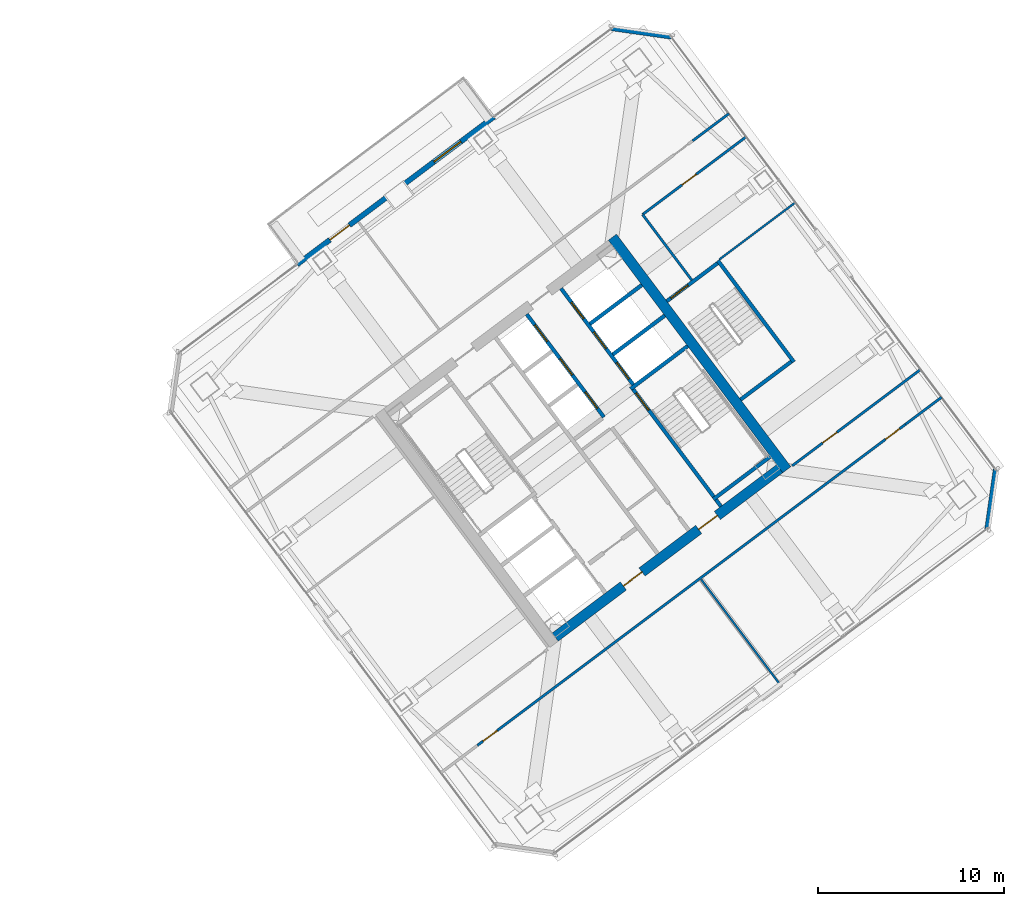
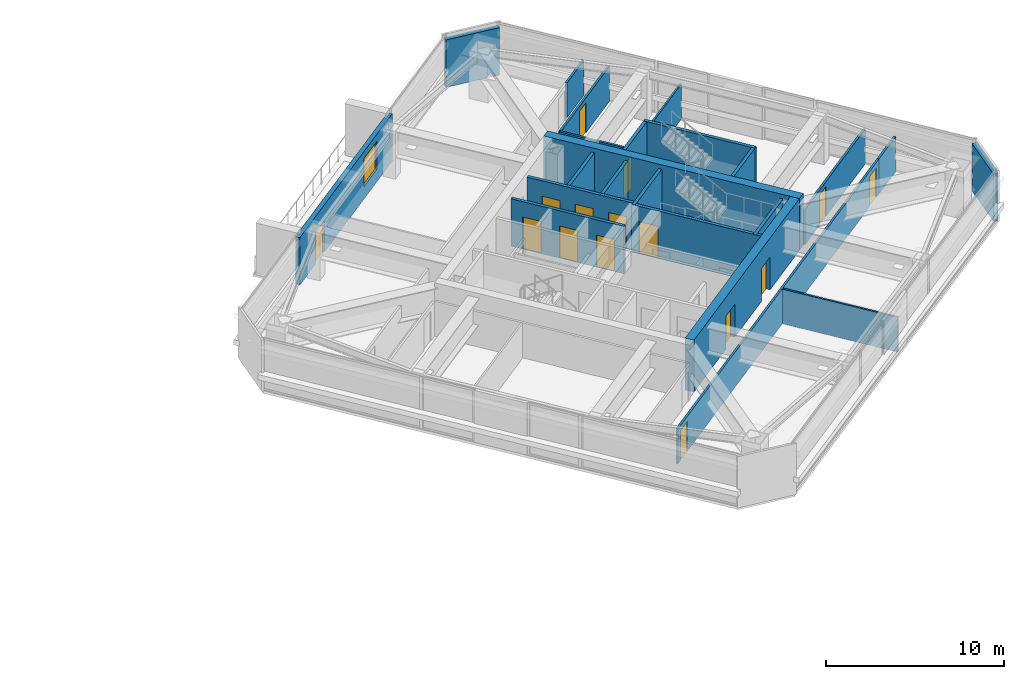
# One storey, part 35 of 42: 23 walls, 15 doors, 1 window, 16 openings.
"""IFC4 building model written with IfcOpenShell, lengths in metres."""

from ifc_helpers import new_model, si_unit, direction, frame, frame_2d, origin, place, context, subcontext, project, spatial, rectangle, extrude, material, layer, layer_set, type_object, element, fill, save


model = new_model("IFC4")

# Units and contexts
model_context = context("Model", 3, precision=1e-05, world=origin(), true_north=direction((0.0, 1.0)))
body_context = subcontext(model_context, "Body", "Model", "MODEL_VIEW")
ifc_project = project(units=[si_unit("LENGTHUNIT", "METRE"), si_unit("AREAUNIT", "SQUARE_METRE"), si_unit("VOLUMEUNIT", "CUBIC_METRE"), si_unit("PLANEANGLEUNIT", "RADIAN"), si_unit("MASSUNIT", "GRAM", prefix="KILO")], contexts=[model_context])

# Site, building, storey
site_placement = place(None, origin())
site = spatial("IfcSite", under=ifc_project, at=site_placement, CompositionType="ELEMENT")
building_placement = place(site_placement, origin())
building = spatial("IfcBuilding", under=site, at=building_placement, Name="Tashvorn Skyway Center", CompositionType="ELEMENT")
storey_placement = place(building_placement, frame((0.0, 0.0, 196.050048828125)))
storey = spatial("IfcBuildingStorey", under=building, at=storey_placement, Name="L53", CompositionType="ELEMENT", Elevation=196.050048828125)

# Wall
ifc_material_1 = material(Name="Concrete C60/75", Category="concrete")
ifc_layer_1 = layer(ifc_material_1, 0.550048828125)
ifc_layer_set_1 = layer_set([ifc_layer_1], Name="Concrete C60/75")
wall_type_1 = type_object("IfcWallType", Name="WALL-CORE-550", PredefinedType="SHEAR", material=ifc_layer_set_1)
wall_1_placement = place(storey_placement, frame((115.56396484375, 42.923095703125, 0.0), z_axis=(0.0, 0.0, 1.0), x_axis=(0.600005007985, -0.799996243986, 0.0)))
element("IfcWall", 1, at=wall_1_placement, inside=storey, type_object=wall_type_1, Name="Tower 2 L53 East Core Shear Wall", PredefinedType="SHEAR", context=body_context, shape_type="SweptSolid", body=[
    extrude(rectangle(XDim=15.60009765625, YDim=0.550048828125, at=frame_2d((7.800048828125, 0.0))), origin(), (0.0, 0.0, 1.0), 3.550048828125),
])

# Wall, openings, doors
wall_2_placement = place(storey_placement, frame((124.5390625, 30.498046875, 0.0), z_axis=(0.0, 0.0, 1.0), x_axis=(-0.799998054672, -0.600002593761, 0.0)))
wall_2 = element("IfcWall", 2, at=wall_2_placement, inside=storey, type_object=wall_type_1, Name="Tower 2 L53 South Core Shear Wall", PredefinedType="SHEAR", context=body_context, shape_type="SweptSolid", body=[
    extrude(rectangle(XDim=15.06005859375, YDim=0.550048828125, at=frame_2d((7.530029296875, 0.0))), origin(), (0.0, 0.0, 1.0), 3.550048828125),
])
opening_1_placement = place(wall_2_placement, frame((9.22998046875, 0.0, 0.0)))
opening_1 = element("IfcOpeningElement", 3, at=opening_1_placement, cuts=wall_2, Name="Opening D-FFL-1250", PredefinedType="OPENING", context=body_context, shape_type="SweptSolid", body=[
    extrude(rectangle(XDim=1.25, YDim=2.25, at=frame_2d((0.625, 1.125))), frame((0.0, 0.284912109375, 0.0), z_axis=(0.0, -1.0, 0.0), x_axis=(1.0, 0.0, 0.0)), (0.0, 0.0, 1.0), 0.570068359375),
])
opening_2_placement = place(wall_2_placement, frame((4.179931640625, 0.0, 0.0)))
opening_2 = element("IfcOpeningElement", 4, at=opening_2_placement, cuts=wall_2, Name="Opening D-FFL-1250", PredefinedType="OPENING", context=body_context, shape_type="SweptSolid", body=[
    extrude(rectangle(XDim=1.25, YDim=2.25, at=frame_2d((0.625, 1.125))), frame((0.0, 0.284912109375, 0.0), z_axis=(0.0, -1.0, 0.0), x_axis=(1.0, 0.0, 0.0)), (0.0, 0.0, 1.0), 0.570068359375),
])
ifc_material_2 = material(Name="Hollow galvanized steel fire door assembly", Category="steel")
door_type_1 = type_object("IfcDoorType", Name="DOOR-FFL-1250", OperationType="NOTDEFINED", PredefinedType="DOOR", material=ifc_material_2)
door_1_placement = place(opening_1_placement, origin())
door_1 = element("IfcDoor", 5, at=door_1_placement, inside=storey, type_object=door_type_1, Name="Tower 2 L53 Core South Firefighting Exit Door", OperationType="SINGLE_SWING_LEFT", OverallHeight=2.25, OverallWidth=1.25, PredefinedType="DOOR", context=body_context, shape_type="SweptSolid", body=[
    extrude(rectangle(XDim=1.25, YDim=2.25, at=frame_2d((0.625, 1.125))), frame((0.0, 0.02490234375, 0.0), z_axis=(0.0, -1.0, 0.0), x_axis=(1.0, 0.0, 0.0)), (0.0, 0.0, 1.0), 0.050048828125),
])
fill(opening_1, door_1)
door_2_placement = place(opening_2_placement, origin())
door_2 = element("IfcDoor", 6, at=door_2_placement, inside=storey, type_object=door_type_1, Name="Tower 2 L53 Core South Lift Lobby Door", OperationType="SINGLE_SWING_RIGHT", OverallHeight=2.25, OverallWidth=1.25, PredefinedType="DOOR", context=body_context, shape_type="SweptSolid", body=[
    extrude(rectangle(XDim=1.25, YDim=2.25, at=frame_2d((0.625, 1.125))), frame((0.0, 0.02490234375, 0.0), z_axis=(0.0, -1.0, 0.0), x_axis=(1.0, 0.0, 0.0)), (0.0, 0.0, 1.0), 0.050048828125),
])
fill(opening_2, door_2)

# Wall, openings, door, window
ifc_material_3 = material(Name="Precast concrete C40/50", Category="concrete")
ifc_layer_2 = layer(ifc_material_3, 0.280029296875)
ifc_layer_set_2 = layer_set([ifc_layer_2], Name="Precast concrete C40/50")
wall_type_2 = type_object("IfcWallType", Name="WALL-EXT-280", PredefinedType="SOLIDWALL", material=ifc_layer_set_2)
wall_3_placement = place(storey_placement, frame((98.652099609375, 41.464111328125, 0.0), z_axis=(0.0, 0.0, 1.0), x_axis=(0.799997780501, 0.60000295932, 0.0)))
wall_3 = element("IfcWall", 7, at=wall_3_placement, inside=storey, type_object=wall_type_2, Name="Tower 2 L53 North Sky Garden Loggia Wall", PredefinedType="SOLIDWALL", context=body_context, shape_type="SweptSolid", body=[
    extrude(rectangle(XDim=13.19970703125, YDim=0.280029296875, at=frame_2d((6.599853515625, 0.0))), origin(), (0.0, 0.0, 1.0), 3.25),
])
opening_3_placement = place(wall_3_placement, frame((2.199951171875, 0.0, 0.0)))
opening_3 = element("IfcOpeningElement", 8, at=opening_3_placement, cuts=wall_3, Name="Opening D-TER-1300", PredefinedType="OPENING", context=body_context, shape_type="SweptSolid", body=[
    extrude(rectangle(XDim=1.300048828125, YDim=2.14990234375, at=frame_2d((0.64990234375, 1.074951171875))), frame((0.0, 0.14990234375, 0.0), z_axis=(0.0, -1.0, 0.0), x_axis=(1.0, 0.0, 0.0)), (0.0, 0.0, 1.0), 0.300048828125),
])
opening_4_placement = place(wall_3_placement, frame((9.181884765625, 0.0, 0.85009765625)))
opening_4 = element("IfcOpeningElement", 9, at=opening_4_placement, cuts=wall_3, Name="Opening WIN-1800", PredefinedType="OPENING", context=body_context, shape_type="SweptSolid", body=[
    extrude(rectangle(XDim=1.800048828125, YDim=1.919921875, at=frame_2d((0.89990234375, 0.9599609375))), frame((0.0, 0.14990234375, 0.0), z_axis=(0.0, -1.0, 0.0), x_axis=(1.0, 0.0, 0.0)), (0.0, 0.0, 1.0), 0.300048828125),
])
ifc_material_4 = material(Name="Thermally broken bronze-anodized aluminium 6063-T6", Category="aluminium")
door_type_2 = type_object("IfcDoorType", Name="DOOR-TERR-1300", OperationType="NOTDEFINED", PredefinedType="DOOR", material=ifc_material_4)
door_3_placement = place(opening_3_placement, origin())
door_3 = element("IfcDoor", 10, at=door_3_placement, inside=storey, type_object=door_type_2, Name="Tower 2 L53 Sky Garden Access Door", OperationType="SINGLE_SWING_RIGHT", OverallHeight=2.14990234375, OverallWidth=1.300048828125, PredefinedType="DOOR", context=body_context, shape_type="SweptSolid", body=[
    extrude(rectangle(XDim=1.300048828125, YDim=2.14990234375, at=frame_2d((0.64990234375, 1.074951171875))), frame((0.0, 0.02490234375, 0.0), z_axis=(0.0, -1.0, 0.0), x_axis=(1.0, 0.0, 0.0)), (0.0, 0.0, 1.0), 0.050048828125),
])
fill(opening_3, door_3)
ifc_material_5 = material(Name="Low-E solar-control double insulating safety glass", Category="glass")
window_type = type_object("IfcWindowType", Name="WIN-TERR-1800", PartitioningType="SINGLE_PANEL", PredefinedType="WINDOW", material=ifc_material_5)
window_placement = place(opening_4_placement, origin())
window = element("IfcWindow", 11, at=window_placement, inside=storey, type_object=window_type, Name="Tower 2 L53 Sky Garden Window", OverallHeight=1.919921875, OverallWidth=1.800048828125, PartitioningType="SINGLE_PANEL", PredefinedType="WINDOW", context=body_context, shape_type="SweptSolid", body=[
    extrude(rectangle(XDim=1.800048828125, YDim=1.919921875, at=frame_2d((0.89990234375, 0.9599609375))), frame((0.0, 0.030029296875, 0.0), z_axis=(0.0, -1.0, 0.0), x_axis=(1.0, 0.0, 0.0)), (0.0, 0.0, 1.0), 0.06005859375),
])
fill(opening_4, window)

# Walls
for number, where, z_axis, x_axis, name in (
    (12, (115.52001953125, 54.139892578125, 0.0), (0.0, 0.0, 1.0), (0.989950994782, -0.141410847992, 0.0), "Tower 2 L53 NE Precast Chamfer Wall"),
    (13, (136.139892578125, 30.47998046875, 0.0), (0.0, 0.0, 1.0), (-0.141410847992, -0.989950994782, 0.0), "Tower 2 L53 SE Precast Chamfer Wall"),
):
    element("IfcWall", number, at=place(storey_placement, frame(where, z_axis=z_axis, x_axis=x_axis)), inside=storey, type_object=wall_type_2, Name=name, PredefinedType="SOLIDWALL", context=body_context, shape_type="SweptSolid", body=[
        extrude(rectangle(XDim=3.252685546875, YDim=0.280029296875, at=frame_2d((1.62646484375, 0.0))), origin(), (0.0, 0.0, 1.0), 3.25),
    ])
ifc_material_6 = material(Name="Gypsum board on cold-formed steel stud framing", Category="steel")
ifc_layer_3 = layer(ifc_material_6, 0.110107421875)
ifc_layer_set_3 = layer_set([ifc_layer_3], Name="Gypsum board on cold-formed steel stud framing")
wall_type_3 = type_object("IfcWallType", Name="WALL-PART-110", PredefinedType="PARTITIONING", material=ifc_layer_set_3)
wall_4_placement = place(storey_placement, frame((124.548095703125, 18.93603515625, 0.0), z_axis=(0.0, 0.0, 1.0), x_axis=(-0.6, 0.8, 0.0)))
element("IfcWall", 14, at=wall_4_placement, inside=storey, type_object=wall_type_3, Name="Tower 2 L53 South Suite Partition 1", PredefinedType="PARTITIONING", context=body_context, shape_type="SweptSolid", body=[
    extrude(rectangle(XDim=7.030029296875, YDim=0.110107421875, at=frame_2d((3.51513671875, 0.0))), origin(), (0.0, 0.0, 1.0), 2.39306640625),
])
wall_5_placement = place(storey_placement, frame((125.384033203125, 44.7880859375, 0.0), z_axis=(0.0, 0.0, 1.0), x_axis=(-0.8, -0.6, 0.0)))
element("IfcWall", 15, at=wall_5_placement, inside=storey, type_object=wall_type_3, Name="Tower 2 L53 East Suite Partition 1", PredefinedType="PARTITIONING", context=body_context, shape_type="SweptSolid", body=[
    extrude(rectangle(XDim=5.10009765625, YDim=0.110107421875, at=frame_2d((2.550048828125, 0.0))), origin(), (0.0, 0.0, 1.0), 2.39306640625),
])
ifc_layer_4 = layer(ifc_material_6, 0.135009765625)
ifc_layer_set_4 = layer_set([ifc_layer_4], Name="Gypsum board on cold-formed steel stud framing")
wall_type_4 = type_object("IfcWallType", Name="WALL-PART-135", PredefinedType="PARTITIONING", material=ifc_layer_set_4)
wall_6_placement = place(storey_placement, frame((119.823974609375, 40.617919921875, 0.0), z_axis=(0.0, 0.0, 1.0), x_axis=(-0.599982243973, 0.800013316712, 0.0)))
element("IfcWall", 16, at=wall_6_placement, inside=storey, type_object=wall_type_4, Name="Tower 2 L53 Stair 3 Access Corridor Wall", PredefinedType="PARTITIONING", context=body_context, shape_type="SweptSolid", body=[
    extrude(rectangle(XDim=4.39990234375, YDim=0.135009765625, at=frame_2d((2.199951171875, 0.0))), origin(), (0.0, 0.0, 1.0), 2.39306640625),
])
wall_7_placement = place(storey_placement, frame((119.8701171875, 48.090087890625, 0.0), z_axis=(0.0, 0.0, 1.0), x_axis=(0.799975885537, 0.600032151272, 0.0)))
element("IfcWall", 17, at=wall_7_placement, inside=storey, type_object=wall_type_4, Name="Tower 2 L53 North-East Suite South Wall", PredefinedType="PARTITIONING", context=body_context, shape_type="SweptSolid", body=[
    extrude(rectangle(XDim=2.429931640625, YDim=0.135009765625, at=frame_2d((1.21484375, 0.0))), origin(), (0.0, 0.0, 1.0), 2.39306640625),
])

# Wall, openings, doors
wall_8_placement = place(storey_placement, frame((131.281982421875, 32.8740234375, 0.0), z_axis=(0.0, 0.0, 1.0), x_axis=(-0.8, -0.6, 0.0)))
wall_8 = element("IfcWall", 18, at=wall_8_placement, inside=storey, type_object=wall_type_4, Name="Tower 2 L53 South Suite Wall", PredefinedType="PARTITIONING", context=body_context, shape_type="SweptSolid", body=[
    extrude(rectangle(XDim=28.699951171875, YDim=0.135009765625, at=frame_2d((14.35009765625, 0.0))), origin(), (0.0, 0.0, 1.0), 2.39306640625),
])
opening_5_placement = place(wall_8_placement, frame((27.3701171875, 0.0, 0.0)))
opening_5 = element("IfcOpeningElement", 19, at=opening_5_placement, cuts=wall_8, Name="Opening D-INT-950", PredefinedType="OPENING", context=body_context, shape_type="SweptSolid", body=[
    extrude(rectangle(XDim=0.949951171875, YDim=2.050048828125, at=frame_2d((0.47509765625, 1.02490234375))), frame((0.0, 0.077392578125, 0.0), z_axis=(0.0, -1.0, 0.0), x_axis=(1.0, 0.0, 0.0)), (0.0, 0.0, 1.0), 0.155029296875),
])
opening_6_placement = place(wall_8_placement, frame((0.3798828125, 0.0, 0.0)))
opening_6 = element("IfcOpeningElement", 20, at=opening_6_placement, cuts=wall_8, Name="Opening D-INT-950", PredefinedType="OPENING", context=body_context, shape_type="SweptSolid", body=[
    extrude(rectangle(XDim=0.949951171875, YDim=2.050048828125, at=frame_2d((0.47509765625, 1.02490234375))), frame((0.0, 0.077392578125, 0.0), z_axis=(0.0, -1.0, 0.0), x_axis=(1.0, 0.0, 0.0)), (0.0, 0.0, 1.0), 0.155029296875),
])
ifc_material_7 = material(Name="Solid-core architectural oak veneer door")
door_type_3 = type_object("IfcDoorType", Name="DOOR-INT-950", OperationType="NOTDEFINED", PredefinedType="DOOR", material=ifc_material_7)
door_4_placement = place(opening_5_placement, origin())
door_4 = element("IfcDoor", 21, at=door_4_placement, inside=storey, type_object=door_type_3, Name="Tower 2 L53 Open Plan Office Door", OperationType="SINGLE_SWING_LEFT", OverallHeight=2.050048828125, OverallWidth=0.949951171875, PredefinedType="DOOR", context=body_context, shape_type="SweptSolid", body=[
    extrude(rectangle(XDim=0.949951171875, YDim=2.050048828125, at=frame_2d((0.47509765625, 1.02490234375))), frame((0.0, 0.02490234375, 0.0), z_axis=(0.0, -1.0, 0.0), x_axis=(1.0, 0.0, 0.0)), (0.0, 0.0, 1.0), 0.050048828125),
])
fill(opening_5, door_4)
door_5_placement = place(opening_6_placement, origin())
door_5 = element("IfcDoor", 22, at=door_5_placement, inside=storey, type_object=door_type_3, Name="Tower 2 L53 Staff Fitness Club Door", OperationType="SINGLE_SWING_RIGHT", OverallHeight=2.050048828125, OverallWidth=0.949951171875, PredefinedType="DOOR", context=body_context, shape_type="SweptSolid", body=[
    extrude(rectangle(XDim=0.949951171875, YDim=2.050048828125, at=frame_2d((0.47509765625, 1.02490234375))), frame((0.0, 0.02490234375, 0.0), z_axis=(0.0, -1.0, 0.0), x_axis=(1.0, 0.0, 0.0)), (0.0, 0.0, 1.0), 0.050048828125),
])
fill(opening_6, door_5)

# Wall
wall_9_placement = place(storey_placement, frame((131.281982421875, 32.8740234375, 0.0), z_axis=(0.0, 0.0, 1.0), x_axis=(0.800012055778, 0.599983925293, 0.0)))
element("IfcWall", 23, at=wall_9_placement, inside=storey, type_object=wall_type_4, Name="Tower 2 L53 South-East Suite North Wall", PredefinedType="PARTITIONING", context=body_context, shape_type="SweptSolid", body=[
    extrude(rectangle(XDim=2.43017578125, YDim=0.135009765625, at=frame_2d((1.215087890625, 0.0))), origin(), (0.0, 0.0, 1.0), 2.39306640625),
])

# Wall, opening, door
wall_10_placement = place(storey_placement, frame((122.743896484375, 48.30810546875, 0.0), z_axis=(0.0, 0.0, 1.0), x_axis=(-0.79997892247, -0.600028102345, 0.0)))
wall_10 = element("IfcWall", 24, at=wall_10_placement, inside=storey, type_object=wall_type_4, Name="Tower 2 L53 East Suite North Wall", PredefinedType="PARTITIONING", context=body_context, shape_type="SweptSolid", body=[
    extrude(rectangle(XDim=6.949951171875, YDim=0.135009765625, at=frame_2d((3.47509765625, 0.0))), origin(), (0.0, 0.0, 1.0), 2.39306640625),
])
opening_7_placement = place(wall_10_placement, frame((3.35009765625, 0.0, 0.0)))
opening_7 = element("IfcOpeningElement", 25, at=opening_7_placement, cuts=wall_10, Name="Opening D-INT-950", PredefinedType="OPENING", context=body_context, shape_type="SweptSolid", body=[
    extrude(rectangle(XDim=0.949951171875, YDim=2.050048828125, at=frame_2d((0.47509765625, 1.02490234375))), frame((0.0, 0.077392578125, 0.0), z_axis=(0.0, -1.0, 0.0), x_axis=(1.0, 0.0, 0.0)), (0.0, 0.0, 1.0), 0.155029296875),
])
door_6_placement = place(opening_7_placement, origin())
door_6 = element("IfcDoor", 26, at=door_6_placement, inside=storey, type_object=door_type_3, Name="Tower 2 L53 Executive Study Lounge Door", OperationType="SINGLE_SWING_LEFT", OverallHeight=2.050048828125, OverallWidth=0.949951171875, PredefinedType="DOOR", context=body_context, shape_type="SweptSolid", body=[
    extrude(rectangle(XDim=0.949951171875, YDim=2.050048828125, at=frame_2d((0.47509765625, 1.02490234375))), frame((0.0, 0.02490234375, 0.0), z_axis=(0.0, -1.0, 0.0), x_axis=(1.0, 0.0, 0.0)), (0.0, 0.0, 1.0), 0.050048828125),
])
fill(opening_7, door_6)

wall_11_placement = place(storey_placement, frame((125.2080078125, 30.656005859375, 0.0), z_axis=(0.0, 0.0, 1.0), x_axis=(0.800006797429, 0.599990936654, 0.0)))
wall_11 = element("IfcWall", 27, at=wall_11_placement, inside=storey, type_object=wall_type_4, Name="Tower 2 L53 East Suite South Wall", PredefinedType="PARTITIONING", context=body_context, shape_type="SweptSolid", body=[
    extrude(rectangle(XDim=8.619873046875, YDim=0.135009765625, at=frame_2d((4.31005859375, 0.0))), origin(), (0.0, 0.0, 1.0), 2.39306640625),
])
opening_8_placement = place(wall_11_placement, frame((2.044921875, 0.0, 0.0)))
opening_8 = element("IfcOpeningElement", 28, at=opening_8_placement, cuts=wall_11, Name="Opening D-INT-950", PredefinedType="OPENING", context=body_context, shape_type="SweptSolid", body=[
    extrude(rectangle(XDim=0.949951171875, YDim=2.050048828125, at=frame_2d((0.47509765625, 1.02490234375))), frame((0.0, 0.077392578125, 0.0), z_axis=(0.0, -1.0, 0.0), x_axis=(1.0, 0.0, 0.0)), (0.0, 0.0, 1.0), 0.155029296875),
])
door_7_placement = place(opening_8_placement, origin())
door_7 = element("IfcDoor", 29, at=door_7_placement, inside=storey, type_object=door_type_3, Name="Tower 2 L53 Public Restroom Door", OperationType="SINGLE_SWING_RIGHT", OverallHeight=2.050048828125, OverallWidth=0.949951171875, PredefinedType="DOOR", context=body_context, shape_type="SweptSolid", body=[
    extrude(rectangle(XDim=0.949951171875, YDim=2.050048828125, at=frame_2d((0.47509765625, 1.02490234375))), frame((0.0, 0.02490234375, 0.0), z_axis=(0.0, -1.0, 0.0), x_axis=(1.0, 0.0, 0.0)), (0.0, 0.0, 1.0), 0.050048828125),
])
fill(opening_8, door_7)

# Walls
ifc_material_8 = material(Name="Concrete C40/50", Category="concrete")
ifc_layer_5 = layer(ifc_material_8, 0.199951171875)
ifc_layer_set_5 = layer_set([ifc_layer_5], Name="Concrete C40/50")
wall_type_5 = type_object("IfcWallType", Name="WALL-SHAFT-200", PredefinedType="SOLIDWALL", material=ifc_layer_set_5)
for number, where, z_axis, x_axis, name in (
    (30, (115.590087890625, 36.6298828125, 0.0), (0.0, 0.0, 1.0), (0.799974743577, 0.600033673754, 0.0), "Tower 2 L53 High-Rise Shaft Divider"),
    (31, (114.360107421875, 38.27001953125, 0.0), (0.0, 0.0, 1.0), (0.800008418847, 0.599988774707, 0.0), "Tower 2 L53 High-Rise Shaft Divider"),
):
    element("IfcWall", number, at=place(storey_placement, frame(where, z_axis=z_axis, x_axis=x_axis)), inside=storey, type_object=wall_type_5, Name=name, PredefinedType="SOLIDWALL", context=body_context, shape_type="SweptSolid", body=[
        extrude(rectangle(XDim=3.47998046875, YDim=0.199951171875, at=frame_2d((1.739990234375, 0.0))), origin(), (0.0, 0.0, 1.0), 3.25),
    ])

# Wall, openings, doors
wall_12_placement = place(storey_placement, frame((115.110107421875, 33.27001953125, 0.0), z_axis=(0.0, 0.0, 1.0), x_axis=(-0.600011322243, 0.799991508192, 0.0)))
wall_12 = element("IfcWall", 32, at=wall_12_placement, inside=storey, type_object=wall_type_5, Name="Tower 2 L53 Mid-Rise Core Wall", PredefinedType="SOLIDWALL", context=body_context, shape_type="SweptSolid", body=[
    extrude(rectangle(XDim=6.900146484375, YDim=0.199951171875, at=frame_2d((3.4501953125, 0.0))), origin(), (0.0, 0.0, 1.0), 3.25),
])
opening_9_placement = place(wall_12_placement, frame((0.574951171875, 0.0, 0.0)))
opening_9 = element("IfcOpeningElement", 33, at=opening_9_placement, cuts=wall_12, Name="Opening LD-MR-T2-1-L53", PredefinedType="OPENING", context=body_context, shape_type="SweptSolid", body=[
    extrude(rectangle(XDim=1.10009765625, YDim=2.199951171875, at=frame_2d((0.550048828125, 1.10009765625))), frame((0.0, 0.10986328125, 0.0), z_axis=(0.0, -1.0, 0.0), x_axis=(1.0, 0.0, 0.0)), (0.0, 0.0, 1.0), 0.219970703125),
])
opening_10_placement = place(wall_12_placement, frame((2.824951171875, 0.0, 0.0)))
opening_10 = element("IfcOpeningElement", 34, at=opening_10_placement, cuts=wall_12, Name="Opening LD-MR-T2-2-L53", PredefinedType="OPENING", context=body_context, shape_type="SweptSolid", body=[
    extrude(rectangle(XDim=1.10009765625, YDim=2.199951171875, at=frame_2d((0.550048828125, 1.10009765625))), frame((0.0, 0.10986328125, 0.0), z_axis=(0.0, -1.0, 0.0), x_axis=(1.0, 0.0, 0.0)), (0.0, 0.0, 1.0), 0.219970703125),
])
opening_11_placement = place(wall_12_placement, frame((5.074951171875, 0.0, 0.0)))
opening_11 = element("IfcOpeningElement", 35, at=opening_11_placement, cuts=wall_12, Name="Opening LD-MR-T2-3-L53", PredefinedType="OPENING", context=body_context, shape_type="SweptSolid", body=[
    extrude(rectangle(XDim=1.10009765625, YDim=2.199951171875, at=frame_2d((0.550048828125, 1.10009765625))), frame((0.0, 0.10986328125, 0.0), z_axis=(0.0, -1.0, 0.0), x_axis=(1.0, 0.0, 0.0)), (0.0, 0.0, 1.0), 0.219970703125),
])
ifc_material_9 = material(Name="Stainless steel landing door", Category="steel")
door_type_4 = type_object("IfcDoorType", Name="DOOR-LIFT-1100", OperationType="SLIDING_TO_LEFT", PredefinedType="DOOR", material=ifc_material_9)
door_8_placement = place(opening_9_placement, origin())
door_8 = element("IfcDoor", 36, at=door_8_placement, inside=storey, type_object=door_type_4, Name="Lift MR-T2-1 L53 Landing Door", OperationType="SLIDING_TO_LEFT", OverallHeight=2.199951171875, OverallWidth=1.10009765625, PredefinedType="DOOR", context=body_context, shape_type="SweptSolid", body=[
    extrude(rectangle(XDim=1.10009765625, YDim=2.199951171875, at=frame_2d((0.550048828125, 1.10009765625))), frame((0.0, 0.02490234375, 0.0), z_axis=(0.0, -1.0, 0.0), x_axis=(1.0, 0.0, 0.0)), (0.0, 0.0, 1.0), 0.050048828125),
])
fill(opening_9, door_8)
door_9_placement = place(opening_10_placement, origin())
door_9 = element("IfcDoor", 37, at=door_9_placement, inside=storey, type_object=door_type_4, Name="Lift MR-T2-2 L53 Landing Door", OperationType="SLIDING_TO_LEFT", OverallHeight=2.199951171875, OverallWidth=1.10009765625, PredefinedType="DOOR", context=body_context, shape_type="SweptSolid", body=[
    extrude(rectangle(XDim=1.10009765625, YDim=2.199951171875, at=frame_2d((0.550048828125, 1.10009765625))), frame((0.0, 0.02490234375, 0.0), z_axis=(0.0, -1.0, 0.0), x_axis=(1.0, 0.0, 0.0)), (0.0, 0.0, 1.0), 0.050048828125),
])
fill(opening_10, door_9)
door_10_placement = place(opening_11_placement, origin())
door_10 = element("IfcDoor", 38, at=door_10_placement, inside=storey, type_object=door_type_4, Name="Lift MR-T2-3 L53 Landing Door", OperationType="SLIDING_TO_LEFT", OverallHeight=2.199951171875, OverallWidth=1.10009765625, PredefinedType="DOOR", context=body_context, shape_type="SweptSolid", body=[
    extrude(rectangle(XDim=1.10009765625, YDim=2.199951171875, at=frame_2d((0.550048828125, 1.10009765625))), frame((0.0, 0.02490234375, 0.0), z_axis=(0.0, -1.0, 0.0), x_axis=(1.0, 0.0, 0.0)), (0.0, 0.0, 1.0), 0.050048828125),
])
fill(opening_11, door_10)

# Wall, opening, door
ifc_layer_6 = layer(ifc_material_8, 0.199951171875)
ifc_layer_set_6 = layer_set([ifc_layer_6], Name="Concrete C40/50")
wall_type_6 = type_object("IfcWallType", Name="WALL-STSHF-200", PredefinedType="SHEAR", material=ifc_layer_set_6)
wall_13_placement = place(storey_placement, frame((116.56005859375, 34.919921875, 0.0), z_axis=(0.0, 0.0, 1.0), x_axis=(0.59999029481, -0.8000072788, 0.0)))
wall_13 = element("IfcWall", 39, at=wall_13_placement, inside=storey, type_object=wall_type_6, Name="Tower 2 L53 Stair 2 Enclosure Wall", PredefinedType="SHEAR", context=body_context, shape_type="SweptSolid", body=[
    extrude(rectangle(XDim=8.0498046875, YDim=0.199951171875, at=frame_2d((4.02490234375, 0.0))), origin(), (0.0, 0.0, 1.0), 3.25),
])
opening_12_placement = place(wall_13_placement, frame((0.449951171875, 0.0, 0.0)))
opening_12 = element("IfcOpeningElement", 40, at=opening_12_placement, cuts=wall_13, Name="Opening D-ST-1150", PredefinedType="OPENING", context=body_context, shape_type="SweptSolid", body=[
    extrude(rectangle(XDim=1.14990234375, YDim=2.199951171875, at=frame_2d((0.574951171875, 1.10009765625))), frame((0.0, 0.10986328125, 0.0), z_axis=(0.0, -1.0, 0.0), x_axis=(1.0, 0.0, 0.0)), (0.0, 0.0, 1.0), 0.219970703125),
])
door_type_5 = type_object("IfcDoorType", Name="DOOR-STAIR-1150", OperationType="NOTDEFINED", PredefinedType="DOOR", material=ifc_material_2)
door_11_placement = place(opening_12_placement, origin())
door_11 = element("IfcDoor", 41, at=door_11_placement, inside=storey, type_object=door_type_5, Name="Tower 2 L53 Exit Stair 2 Door", OperationType="SINGLE_SWING_RIGHT", OverallHeight=2.199951171875, OverallWidth=1.14990234375, PredefinedType="DOOR", context=body_context, shape_type="SweptSolid", body=[
    extrude(rectangle(XDim=1.14990234375, YDim=2.199951171875, at=frame_2d((0.574951171875, 1.10009765625))), frame((0.0, 0.02490234375, 0.0), z_axis=(0.0, -1.0, 0.0), x_axis=(1.0, 0.0, 0.0)), (0.0, 0.0, 1.0), 0.050048828125),
])
fill(opening_12, door_11)

# Walls
for number, where, z_axis, x_axis, name in (
    (42, (116.5400390625, 34.780029296875, 0.0), (0.0, 0.0, 1.0), (0.800015298837, 0.599979601008, 0.0), "Tower 2 L53 Stair 2 North Wall"),
    (43, (120.97998046875, 28.860107421875, 0.0), (0.0, 0.0, 1.0), (0.800015298837, 0.599979601008, 0.0), "Tower 2 L53 Stair 2 South Wall"),
):
    element("IfcWall", number, at=place(storey_placement, frame(where, z_axis=z_axis, x_axis=x_axis)), inside=storey, type_object=wall_type_6, Name=name, PredefinedType="SHEAR", context=body_context, shape_type="SweptSolid", body=[
        extrude(rectangle(XDim=3.829833984375, YDim=0.199951171875, at=frame_2d((1.9150390625, 0.0))), origin(), (0.0, 0.0, 1.0), 3.25),
    ])

# Wall, openings, doors
wall_14_placement = place(storey_placement, frame((112.81005859375, 40.169921875, 0.0), z_axis=(0.0, 0.0, 1.0), x_axis=(0.599993943644, -0.800004542231, 0.0)))
wall_14 = element("IfcWall", 44, at=wall_14_placement, inside=storey, type_object=wall_type_6, Name="Tower 2 L53 High-Rise Lift Shaft Front Wall", PredefinedType="SHEAR", context=body_context, shape_type="SweptSolid", body=[
    extrude(rectangle(XDim=6.449951171875, YDim=0.199951171875, at=frame_2d((3.22509765625, 0.0))), origin(), (0.0, 0.0, 1.0), 3.25),
])
opening_13_placement = place(wall_14_placement, frame((4.97509765625, 0.0, 0.0)))
opening_13 = element("IfcOpeningElement", 45, at=opening_13_placement, cuts=wall_14, Name="Opening LD-HR-T2-1-L53", PredefinedType="OPENING", context=body_context, shape_type="SweptSolid", body=[
    extrude(rectangle(XDim=1.10009765625, YDim=2.199951171875, at=frame_2d((0.550048828125, 1.10009765625))), frame((0.0, 0.10986328125, 0.0), z_axis=(0.0, -1.0, 0.0), x_axis=(1.0, 0.0, 0.0)), (0.0, 0.0, 1.0), 0.219970703125),
])
opening_14_placement = place(wall_14_placement, frame((2.925048828125, 0.0, 0.0)))
opening_14 = element("IfcOpeningElement", 46, at=opening_14_placement, cuts=wall_14, Name="Opening LD-HR-T2-2-L53", PredefinedType="OPENING", context=body_context, shape_type="SweptSolid", body=[
    extrude(rectangle(XDim=1.10009765625, YDim=2.199951171875, at=frame_2d((0.550048828125, 1.10009765625))), frame((0.0, 0.10986328125, 0.0), z_axis=(0.0, -1.0, 0.0), x_axis=(1.0, 0.0, 0.0)), (0.0, 0.0, 1.0), 0.219970703125),
])
opening_15_placement = place(wall_14_placement, frame((0.925048828125, 0.0, 0.0)))
opening_15 = element("IfcOpeningElement", 47, at=opening_15_placement, cuts=wall_14, Name="Opening LD-HR-T2-3-L53", PredefinedType="OPENING", context=body_context, shape_type="SweptSolid", body=[
    extrude(rectangle(XDim=1.10009765625, YDim=2.199951171875, at=frame_2d((0.550048828125, 1.10009765625))), frame((0.0, 0.10986328125, 0.0), z_axis=(0.0, -1.0, 0.0), x_axis=(1.0, 0.0, 0.0)), (0.0, 0.0, 1.0), 0.219970703125),
])
door_12_placement = place(opening_13_placement, origin())
door_12 = element("IfcDoor", 48, at=door_12_placement, inside=storey, type_object=door_type_4, Name="Lift HR-T2-1 L53 Landing Door", OperationType="SLIDING_TO_LEFT", OverallHeight=2.199951171875, OverallWidth=1.10009765625, PredefinedType="DOOR", context=body_context, shape_type="SweptSolid", body=[
    extrude(rectangle(XDim=1.10009765625, YDim=2.199951171875, at=frame_2d((0.550048828125, 1.10009765625))), frame((0.0, 0.02490234375, 0.0), z_axis=(0.0, -1.0, 0.0), x_axis=(1.0, 0.0, 0.0)), (0.0, 0.0, 1.0), 0.050048828125),
])
fill(opening_13, door_12)
door_13_placement = place(opening_14_placement, origin())
door_13 = element("IfcDoor", 49, at=door_13_placement, inside=storey, type_object=door_type_4, Name="Lift HR-T2-2 L53 Landing Door", OperationType="SLIDING_TO_LEFT", OverallHeight=2.199951171875, OverallWidth=1.10009765625, PredefinedType="DOOR", context=body_context, shape_type="SweptSolid", body=[
    extrude(rectangle(XDim=1.10009765625, YDim=2.199951171875, at=frame_2d((0.550048828125, 1.10009765625))), frame((0.0, 0.02490234375, 0.0), z_axis=(0.0, -1.0, 0.0), x_axis=(1.0, 0.0, 0.0)), (0.0, 0.0, 1.0), 0.050048828125),
])
fill(opening_14, door_13)
door_14_placement = place(opening_15_placement, origin())
door_14 = element("IfcDoor", 50, at=door_14_placement, inside=storey, type_object=door_type_4, Name="Lift HR-T2-3 L53 Landing Door", OperationType="SLIDING_TO_LEFT", OverallHeight=2.199951171875, OverallWidth=1.10009765625, PredefinedType="DOOR", context=body_context, shape_type="SweptSolid", body=[
    extrude(rectangle(XDim=1.10009765625, YDim=2.199951171875, at=frame_2d((0.550048828125, 1.10009765625))), frame((0.0, 0.02490234375, 0.0), z_axis=(0.0, -1.0, 0.0), x_axis=(1.0, 0.0, 0.0)), (0.0, 0.0, 1.0), 0.050048828125),
])
fill(opening_15, door_14)

# Wall
wall_15_placement = place(storey_placement, frame((125.303955078125, 36.22802734375, 0.0), z_axis=(0.0, 0.0, 1.0), x_axis=(-0.59998851072, 0.800008616831, 0.0)))
element("IfcWall", 51, at=wall_15_placement, inside=storey, type_object=wall_type_6, Name="Tower 2 L53 Stair 3 Outer Wall", PredefinedType="SHEAR", context=body_context, shape_type="SweptSolid", body=[
    extrude(rectangle(XDim=6.7998046875, YDim=0.199951171875, at=frame_2d((3.39990234375, 0.0))), origin(), (0.0, 0.0, 1.0), 3.25),
])

# Wall, opening, door
wall_16_placement = place(storey_placement, frame((121.2041015625, 41.528076171875, 0.0), z_axis=(0.0, 0.0, 1.0), x_axis=(-0.800017232136, -0.599977023131, 0.0)))
wall_16 = element("IfcWall", 52, at=wall_16_placement, inside=storey, type_object=wall_type_6, Name="Tower 2 L53 Stair 3 Enclosure Wall", PredefinedType="SHEAR", context=body_context, shape_type="SweptSolid", body=[
    extrude(rectangle(XDim=3.400146484375, YDim=0.199951171875, at=frame_2d((1.7001953125, 0.0))), origin(), (0.0, 0.0, 1.0), 3.25),
])
opening_16_placement = place(wall_16_placement, frame((1.97509765625, 0.0, 0.0)))
opening_16 = element("IfcOpeningElement", 53, at=opening_16_placement, cuts=wall_16, Name="Opening D-ST-1150", PredefinedType="OPENING", context=body_context, shape_type="SweptSolid", body=[
    extrude(rectangle(XDim=1.14990234375, YDim=2.199951171875, at=frame_2d((0.574951171875, 1.10009765625))), frame((0.0, 0.10986328125, 0.0), z_axis=(0.0, -1.0, 0.0), x_axis=(1.0, 0.0, 0.0)), (0.0, 0.0, 1.0), 0.219970703125),
])
door_15_placement = place(opening_16_placement, origin())
door_15 = element("IfcDoor", 54, at=door_15_placement, inside=storey, type_object=door_type_5, Name="Tower 2 L53 Exit Stair 3 Door", OperationType="SINGLE_SWING_RIGHT", OverallHeight=2.199951171875, OverallWidth=1.14990234375, PredefinedType="DOOR", context=body_context, shape_type="SweptSolid", body=[
    extrude(rectangle(XDim=1.14990234375, YDim=2.199951171875, at=frame_2d((0.574951171875, 1.10009765625))), frame((0.0, 0.02490234375, 0.0), z_axis=(0.0, -1.0, 0.0), x_axis=(1.0, 0.0, 0.0)), (0.0, 0.0, 1.0), 0.050048828125),
])
fill(opening_16, door_15)

# Wall
wall_17_placement = place(storey_placement, frame((122.444091796875, 34.2080078125, 0.0), z_axis=(0.0, 0.0, 1.0), x_axis=(0.79999138319, 0.600011488909, 0.0)))
element("IfcWall", 55, at=wall_17_placement, inside=storey, type_object=wall_type_6, Name="Tower 2 L53 Stair 3 South Wall", PredefinedType="SHEAR", context=body_context, shape_type="SweptSolid", body=[
    extrude(rectangle(XDim=3.39990234375, YDim=0.199951171875, at=frame_2d((1.699951171875, 0.0))), origin(), (0.0, 0.0, 1.0), 3.25),
])

save(model, "model.ifc")
